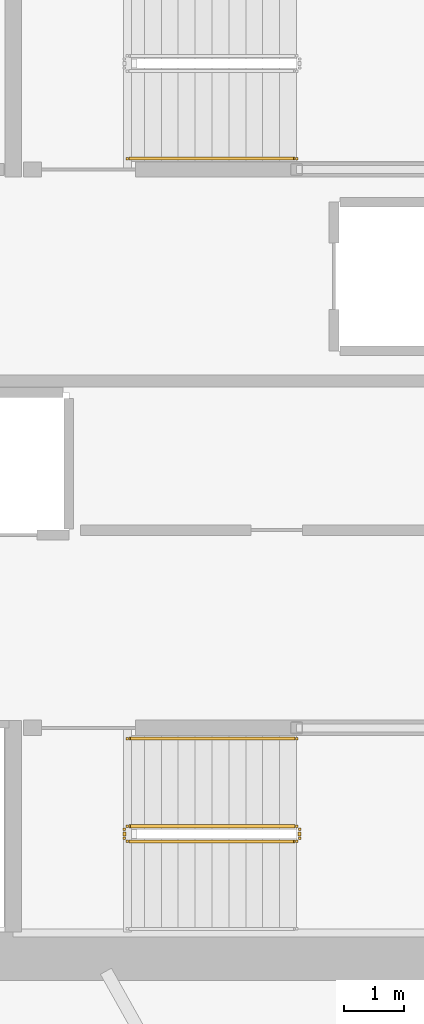
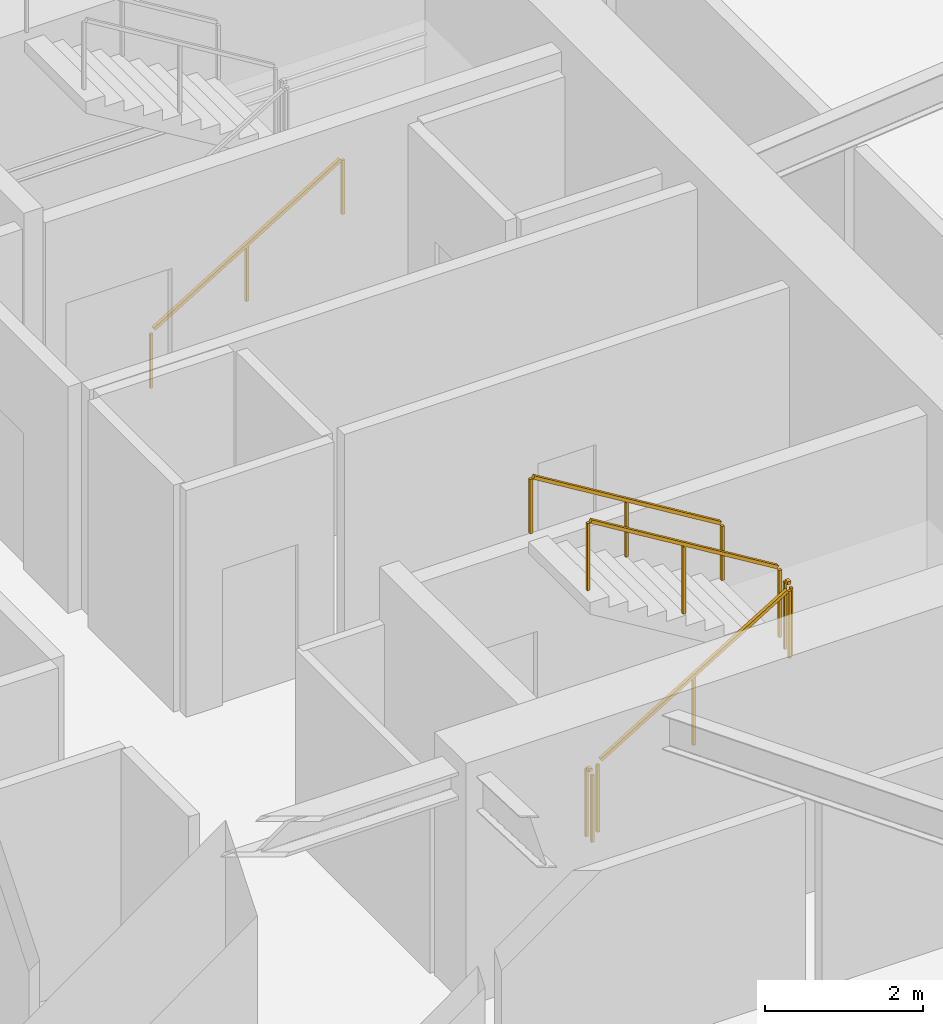
# One storey, part 20 of 23: 6 railings.
"""IFC4 building model written with IfcOpenShell, lengths in metres."""

from ifc_helpers import new_model, si_unit, direction, frame, origin, origin_2d, place, context, subcontext, project, spatial, rectangle, extrude, material, type_object, element, save


model = new_model("IFC4")

# Units and contexts
model_context = context("Model", 3, precision=1e-05, world=origin(), true_north=direction((0.0, 1.0)))
body_context = subcontext(model_context, "Body", "Model", "MODEL_VIEW")
ifc_project = project(units=[si_unit("LENGTHUNIT", "METRE"), si_unit("AREAUNIT", "SQUARE_METRE"), si_unit("VOLUMEUNIT", "CUBIC_METRE"), si_unit("PLANEANGLEUNIT", "RADIAN"), si_unit("MASSUNIT", "GRAM", prefix="KILO")], contexts=[model_context])

# Site, building, storey
site_placement = place(None, origin())
site = spatial("IfcSite", under=ifc_project, at=site_placement, CompositionType="ELEMENT")
building_placement = place(site_placement, origin())
building = spatial("IfcBuilding", under=site, at=building_placement, Name="Kazma Halo Residences", CompositionType="ELEMENT")
storey_placement = place(building_placement, frame((0.0, 0.0, 108.89990234375)))
storey = spatial("IfcBuildingStorey", under=building, at=storey_placement, Name="L27", CompositionType="ELEMENT", Elevation=108.89990234375)

# Railings
ifc_material_1 = material(Name="Painted Steel S355", Category="steel")
railing_type_1 = type_object("IfcRailingType", Name="RLG-STAIR-GRD-1100", PredefinedType="GUARDRAIL", material=ifc_material_1)
railing_1_placement = place(storey_placement, frame((53.199951171875, 35.5, 0.170654296875)))
element("IfcRailing", 1, at=railing_1_placement, inside=storey, type_object=railing_type_1, Name="L27 ST-03 stair guard 1", PredefinedType="GUARDRAIL", context=body_context, shape_type="SweptSolid", body=[
    extrude(rectangle(XDim=0.050048828125, YDim=0.050048828125, at=origin_2d()), frame((0.036376953125, 0.0, 1.09716796875), z_axis=(0.854202870247, 0.0, 0.519939858505), x_axis=(0.0, 1.0, 0.0)), (0.0, 0.0, 1.0), 3.19287109375),
    extrude(rectangle(XDim=0.0400390625, YDim=0.0400390625, at=origin_2d()), origin(), (0.0, 0.0, 1.0), 1.0380859375),
    extrude(rectangle(XDim=0.0400390625, YDim=0.0400390625, at=origin_2d()), frame((1.39990234375, 0.0, 0.85205078125)), (0.0, 0.0, 1.0), 1.0380859375),
    extrude(rectangle(XDim=0.0400390625, YDim=0.0400390625, at=origin_2d()), frame((2.800048828125, 0.0, 1.704345703125)), (0.0, 0.0, 1.0), 1.0380859375),
])
railing_2_placement = place(storey_placement, frame((56.050048828125, 35.550048828125, 1.875)))
element("IfcRailing", 2, at=railing_2_placement, inside=storey, type_object=railing_type_1, Name="L27 ST-03 stair guard 2", PredefinedType="GUARDRAIL", context=body_context, shape_type="SweptSolid", body=[
    extrude(rectangle(XDim=0.050048828125, YDim=0.050048828125, at=origin_2d()), frame((0.0, 0.04248046875, 1.0751953125), z_axis=(0.0, 1.0, 0.0), x_axis=(-1.0, 0.0, 0.0)), (0.0, 0.0, 1.0), 0.06494140625),
    extrude(rectangle(XDim=0.0400390625, YDim=0.0400390625, at=origin_2d()), origin(), (0.0, 0.0, 1.0), 1.0380859375),
    extrude(rectangle(XDim=0.0400390625, YDim=0.0400390625, at=origin_2d()), frame((0.0, 0.14990234375, 0.0)), (0.0, 0.0, 1.0), 1.0380859375),
])
railing_3_placement = place(storey_placement, frame((56.0, 35.75, 2.045654296875)))
element("IfcRailing", 3, at=railing_3_placement, inside=storey, type_object=railing_type_1, Name="L27 ST-03 stair guard 3", PredefinedType="GUARDRAIL", context=body_context, shape_type="SweptSolid", body=[
    extrude(rectangle(XDim=0.050048828125, YDim=0.050048828125, at=origin_2d()), frame((-0.036376953125, 0.0, 1.09716796875), z_axis=(-0.854202870247, 0.0, 0.519939858505), x_axis=(0.0, -1.0, 0.0)), (0.0, 0.0, 1.0), 3.19287109375),
    extrude(rectangle(XDim=0.0400390625, YDim=0.0400390625, at=origin_2d()), origin(), (0.0, 0.0, 1.0), 1.0380859375),
    extrude(rectangle(XDim=0.0400390625, YDim=0.0400390625, at=origin_2d()), frame((-1.39990234375, 0.0, 0.85205078125)), (0.0, 0.0, 1.0), 1.0380859375),
    extrude(rectangle(XDim=0.0400390625, YDim=0.0400390625, at=origin_2d()), frame((-2.800048828125, 0.0, 1.704345703125)), (0.0, 0.0, 1.0), 1.0380859375),
])
railing_4_placement = place(storey_placement, frame((53.14990234375, 35.550048828125, 0.0)))
element("IfcRailing", 4, at=railing_4_placement, inside=storey, type_object=railing_type_1, Name="L27 ST-03 stair guard 4", PredefinedType="GUARDRAIL", context=body_context, shape_type="SweptSolid", body=[
    extrude(rectangle(XDim=0.050048828125, YDim=0.050048828125, at=origin_2d()), frame((0.0, 0.04248046875, 1.0751953125), z_axis=(0.0, 1.0, 0.0), x_axis=(-1.0, 0.0, 0.0)), (0.0, 0.0, 1.0), 0.06494140625),
    extrude(rectangle(XDim=0.0400390625, YDim=0.0400390625, at=origin_2d()), origin(), (0.0, 0.0, 1.0), 1.0380859375),
    extrude(rectangle(XDim=0.0400390625, YDim=0.0400390625, at=origin_2d()), frame((0.0, 0.14990234375, 0.0)), (0.0, 0.0, 1.0), 1.0380859375),
])
ifc_material_2 = material(Name="Brushed Stainless Steel", Category="steel")
railing_type_2 = type_object("IfcRailingType", Name="RLG-STAIR-HND-900", PredefinedType="HANDRAIL", material=ifc_material_2)
railing_5_placement = place(storey_placement, frame((53.199951171875, 46.800048828125, 0.170654296875)))
element("IfcRailing", 5, at=railing_5_placement, inside=storey, type_object=railing_type_2, Name="L27 ST-02 stair handrail 1", PredefinedType="HANDRAIL", context=body_context, shape_type="SweptSolid", body=[
    extrude(rectangle(XDim=0.050048828125, YDim=0.050048828125, at=origin_2d()), frame((0.036376953125, 0.0, 0.89697265625), z_axis=(0.854202870247, 0.0, 0.519939858505), x_axis=(0.0, 1.0, 0.0)), (0.0, 0.0, 1.0), 3.19287109375),
    extrude(rectangle(XDim=0.0400390625, YDim=0.0400390625, at=origin_2d()), origin(), (0.0, 0.0, 1.0), 0.837890625),
    extrude(rectangle(XDim=0.0400390625, YDim=0.0400390625, at=origin_2d()), frame((1.39990234375, 0.0, 0.85205078125)), (0.0, 0.0, 1.0), 0.837890625),
    extrude(rectangle(XDim=0.0400390625, YDim=0.0400390625, at=origin_2d()), frame((2.800048828125, 0.0, 1.704345703125)), (0.0, 0.0, 1.0), 0.837890625),
])
railing_6_placement = place(storey_placement, frame((56.0, 37.199951171875, 2.045654296875)))
element("IfcRailing", 6, at=railing_6_placement, inside=storey, type_object=railing_type_2, Name="L27 ST-03 stair handrail 2", PredefinedType="HANDRAIL", context=body_context, shape_type="SweptSolid", body=[
    extrude(rectangle(XDim=0.050048828125, YDim=0.050048828125, at=origin_2d()), frame((-0.036376953125, 0.0, 0.89697265625), z_axis=(-0.854202870247, 0.0, 0.519939858505), x_axis=(0.0, -1.0, 0.0)), (0.0, 0.0, 1.0), 3.19287109375),
    extrude(rectangle(XDim=0.0400390625, YDim=0.0400390625, at=origin_2d()), origin(), (0.0, 0.0, 1.0), 0.837890625),
    extrude(rectangle(XDim=0.0400390625, YDim=0.0400390625, at=origin_2d()), frame((-1.39990234375, 0.0, 0.85205078125)), (0.0, 0.0, 1.0), 0.837890625),
    extrude(rectangle(XDim=0.0400390625, YDim=0.0400390625, at=origin_2d()), frame((-2.800048828125, 0.0, 1.704345703125)), (0.0, 0.0, 1.0), 0.837890625),
])

save(model, "model.ifc")
